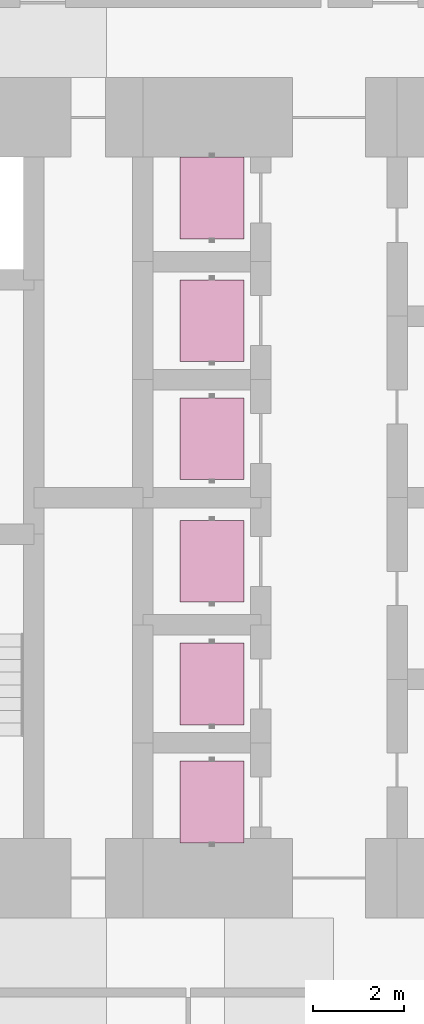
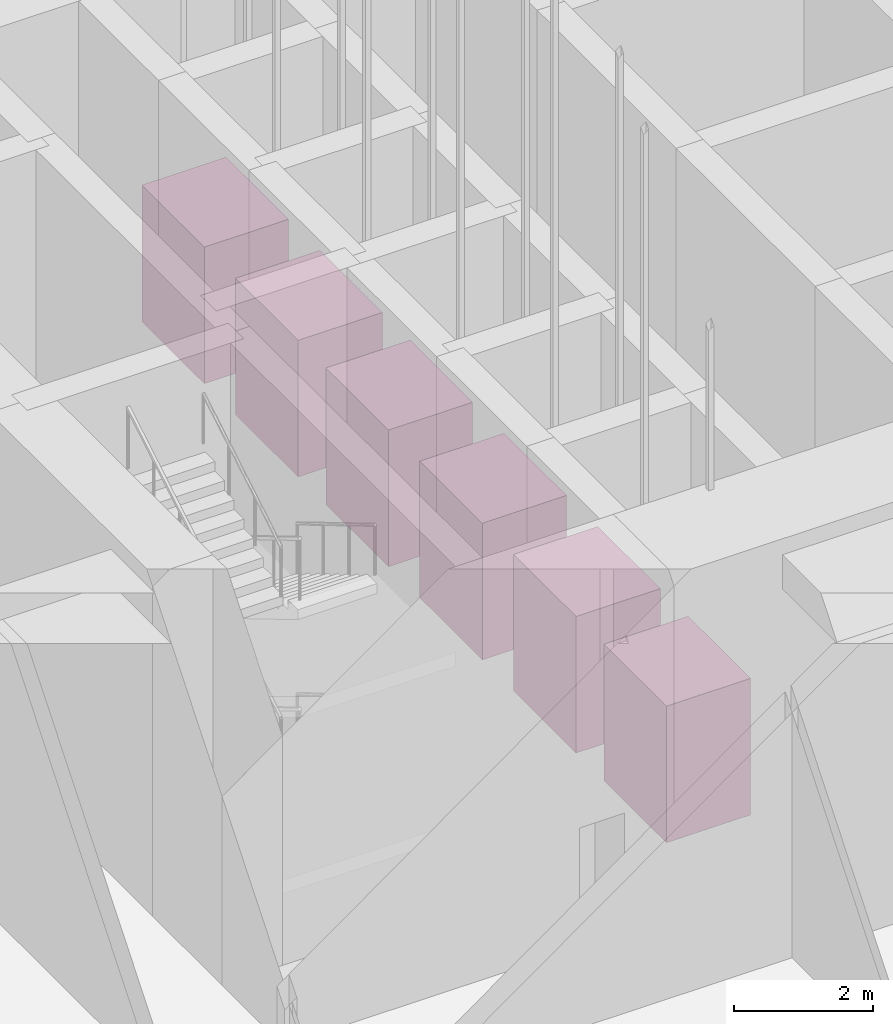
# One storey, part 17 of 17: 6 transport elements.
"""IFC4 building model written with IfcOpenShell, lengths in metres."""

from ifc_helpers import new_model, si_unit, direction, frame, origin, origin_2d, place, context, subcontext, project, spatial, rectangle, extrude, material, type_object, element, save


model = new_model("IFC4")

# Units and contexts
model_context = context("Model", 3, precision=1e-05, world=origin(), true_north=direction((0.0, 1.0)))
body_context = subcontext(model_context, "Body", "Model", "MODEL_VIEW")
ifc_project = project(units=[si_unit("LENGTHUNIT", "METRE"), si_unit("AREAUNIT", "SQUARE_METRE"), si_unit("VOLUMEUNIT", "CUBIC_METRE"), si_unit("PLANEANGLEUNIT", "RADIAN"), si_unit("MASSUNIT", "GRAM", prefix="KILO")], contexts=[model_context])

# Site, building, storey
site_placement = place(None, origin())
site = spatial("IfcSite", under=ifc_project, at=site_placement, CompositionType="ELEMENT")
building_placement = place(site_placement, origin())
building = spatial("IfcBuilding", under=site, at=building_placement, Name="Jalousie Tower", CompositionType="ELEMENT")
storey_placement = place(building_placement, origin())
storey = spatial("IfcBuildingStorey", under=building, at=storey_placement, Name="L00", CompositionType="ELEMENT", Elevation=0.0)

# Transport elements
ifc_material = material(Name="Stainless steel AISI 304", Category="steel")
transport_element_type = type_object("IfcTransportElementType", Name="PASSENGER LIFT CAR 1800x1400", PredefinedType="ELEVATOR", material=ifc_material)
for number, where, z_axis, x_axis, name in (
    (1, (27.52490234375, 11.800048828125, 0.0), (0.0, 0.0, 1.0), (1.0, 0.0, 0.0), "Lift P1"),
    (2, (27.52490234375, 14.39990234375, 0.0), (0.0, 0.0, 1.0), (1.0, 0.0, 0.0), "Lift P2"),
    (3, (27.52490234375, 17.10009765625, 0.0), (0.0, 0.0, 1.0), (1.0, 0.0, 0.0), "Lift P3"),
    (4, (27.52490234375, 19.800048828125, 0.0), (0.0, 0.0, 1.0), (1.0, 0.0, 0.0), "Lift P4"),
    (5, (27.52490234375, 22.39990234375, 0.0), (0.0, 0.0, 1.0), (1.0, 0.0, 0.0), "Lift P5"),
    (6, (27.52490234375, 25.10009765625, 0.0), (0.0, 0.0, 1.0), (1.0, 0.0, 0.0), "Lift P6"),
):
    element("IfcTransportElement", number, at=place(storey_placement, frame(where, z_axis=z_axis, x_axis=x_axis)), inside=storey, type_object=transport_element_type, Name=name, PredefinedType="ELEVATOR", context=body_context, shape_type="SweptSolid", body=[
        extrude(rectangle(XDim=1.39990234375, YDim=1.800048828125, at=origin_2d()), origin(), (0.0, 0.0, 1.0), 2.39990234375),
    ])

save(model, "model.ifc")
